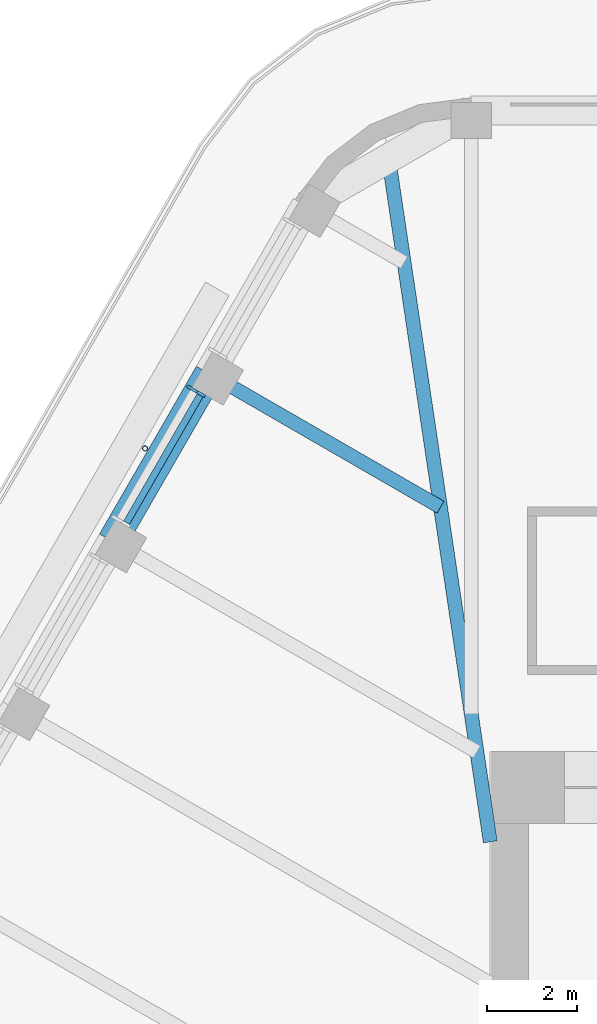
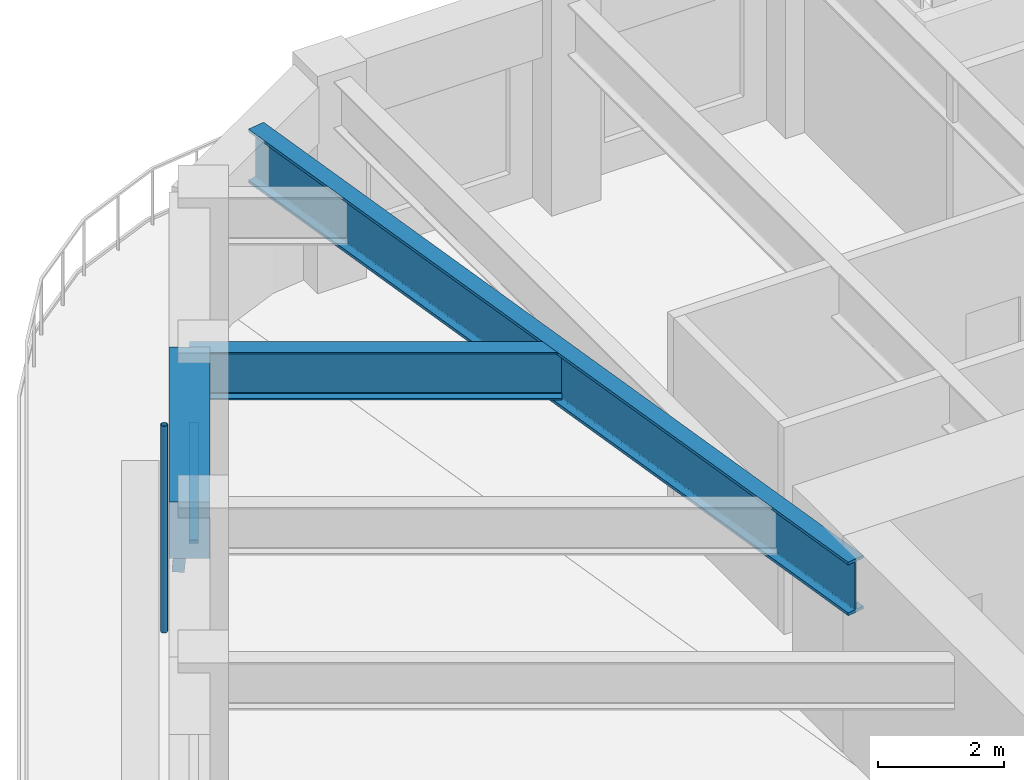
# One storey, part 8 of 19: 3 beams, 3 members, 1 element without a shape of its own.
"""IFC4 building model written with IfcOpenShell, lengths in metres."""

from ifc_helpers import new_model, si_unit, direction, frame, origin, origin_2d, place, context, subcontext, project, spatial, rectangle, hollow_circle, i_section, extrude, material, material_profile, profile_set, type_object, element, aggregate, save


model = new_model("IFC4")

# Units and contexts
model_context = context("Model", 3, precision=1e-05, world=origin(), true_north=direction((0.0, 1.0)))
body_context = subcontext(model_context, "Body", "Model", "MODEL_VIEW")
ifc_project = project(units=[si_unit("LENGTHUNIT", "METRE"), si_unit("AREAUNIT", "SQUARE_METRE"), si_unit("VOLUMEUNIT", "CUBIC_METRE"), si_unit("PLANEANGLEUNIT", "RADIAN"), si_unit("MASSUNIT", "GRAM", prefix="KILO")], contexts=[model_context])

# Site, building, storey
site_placement = place(None, origin())
site = spatial("IfcSite", under=ifc_project, at=site_placement, CompositionType="ELEMENT")
building_placement = place(site_placement, origin())
building = spatial("IfcBuilding", under=site, at=building_placement, Name="Tarfa Lantern Tower", CompositionType="ELEMENT")
storey_placement = place(building_placement, frame((0.0, 0.0, 357.699951171875)))
storey = spatial("IfcBuildingStorey", under=building, at=storey_placement, Name="L81", CompositionType="ELEMENT", Elevation=357.699951171875)

# Curtain wall, members
ifc_material_1 = material(Name="Aluminium framed curtain wall", Category="aluminium")
curtain_wall_type = type_object("IfcCurtainWallType", Name="CW4 CANTED GLAZING EXECUTIVE ZONE 2900", PredefinedType="USERDEFINED", material=ifc_material_1)
curtain_wall_placement = place(storey_placement, origin())
curtain_wall = element("IfcCurtainWall", 1, at=curtain_wall_placement, inside=storey, type_object=curtain_wall_type, Name="CW4 NW L81", ObjectType="CURTAIN WALL", PredefinedType="USERDEFINED")
ifc_material_2 = material(Name="Aluminium mullion", Category="aluminium")
ifc_material_profile_1 = material_profile(ifc_material_2, rectangle(XDim=0.06494140625, YDim=0.199951171875, at=origin_2d()), Name="AL MULLION 65x200")
ifc_profile_set_1 = profile_set([ifc_material_profile_1], Name="Aluminium mullion")
member_type_1 = type_object("IfcMemberType", Name="CWM1 MULLION 65x200", PredefinedType="MULLION", material=ifc_profile_set_1)
member_1_placement = place(storey_placement, frame((-19.038818359375, 20.32373046875, 0.0), z_axis=(0.074393603155, -0.042941967097, 0.996303959277), x_axis=(0.499919672301, 0.866071776036, 0.0)))
member_1 = element("IfcMember", 2, at=member_1_placement, type_object=member_type_1, Name="CW4 mullion 1", PredefinedType="MULLION", context=body_context, shape_type="SweptSolid", body=[
    extrude(rectangle(XDim=0.06494140625, YDim=0.199951171875, at=origin_2d()), origin(), (0.0, 0.0, 1.0), 2.910888671875),
])
ifc_material_3 = material(Name="Aluminium transom", Category="aluminium")
ifc_material_profile_2 = material_profile(ifc_material_3, rectangle(XDim=0.14990234375, YDim=0.06494140625, at=origin_2d()), Name="AL TRANSOM 150x65")
ifc_profile_set_2 = profile_set([ifc_material_profile_2], Name="Aluminium transom")
member_type_2 = type_object("IfcMemberType", Name="CWT1 TRANSOM 150x65", PredefinedType="USERDEFINED", material=ifc_profile_set_2)
member_2_placement = place(storey_placement, frame((-18.841064453125, 20.172119140625, 2.867431640625), z_axis=(-0.499982393232, -0.866035568818, 0.0), x_axis=(0.866035568818, -0.499982393232, 0.0)))
member_2 = element("IfcMember", 3, at=member_2_placement, type_object=member_type_2, Name="CW4 transom 1.2", ObjectType="TRANSOM", PredefinedType="USERDEFINED", context=body_context, shape_type="SweptSolid", body=[
    extrude(rectangle(XDim=0.14990234375, YDim=0.06494140625, at=origin_2d()), origin(), (0.0, 0.0, 1.0), 3.251953125),
])
aggregate(curtain_wall, [member_1, member_2])

# Beam
ifc_material_4 = material(Name="Concrete C80/95", Category="concrete")
ifc_material_profile_3 = material_profile(ifc_material_4, rectangle(XDim=0.64990234375, YDim=1.10009765625, at=origin_2d()), Name="RC 650x1100")
ifc_profile_set_3 = profile_set([ifc_material_profile_3], Name="Concrete C80/95")
beam_type_1 = type_object("IfcBeamType", Name="EB4 RC 650x1100", PredefinedType="SPANDREL", material=ifc_profile_set_3)
beam_1_placement = place(storey_placement, frame((-18.6416015625, 20.651611328125, 3.449951171875), z_axis=(-0.500026801138, -0.866009929587, 0.0), x_axis=(0.866009929587, -0.500026801138, 0.0)))
element("IfcBeam", 4, at=beam_1_placement, inside=storey, type_object=beam_type_1, Name="Edge beam NW1", PredefinedType="SPANDREL", context=body_context, shape_type="SweptSolid", body=[
    extrude(rectangle(XDim=0.64990234375, YDim=1.10009765625, at=origin_2d()), origin(), (0.0, 0.0, 1.0), 4.281982421875),
])

# Member
ifc_material_5 = material(Name="Steel S355", Category="steel")
ifc_material_profile_4 = material_profile(ifc_material_5, hollow_circle(Radius=0.05712890625, WallThickness=0.00634765625, at=origin_2d()), Name="CHS114.3x6.3")
ifc_profile_set_4 = profile_set([ifc_material_profile_4], Name="Steel S355")
member_type_3 = type_object("IfcMemberType", Name="TR1 GREEN WALL TRELLIS CHS114.3x6.3", PredefinedType="USERDEFINED", material=ifc_profile_set_4)
member_3_placement = place(storey_placement, frame((-20.05859375, 18.99755859375, 0.0), z_axis=(0.0, 0.0, 1.0), x_axis=(1.0, 0.0, 0.0)))
element("IfcMember", 5, at=member_3_placement, inside=storey, type_object=member_type_3, Name="Trellis post NW 1", ObjectType="TRELLIS", PredefinedType="USERDEFINED", context=body_context, shape_type="SweptSolid", body=[
    extrude(hollow_circle(Radius=0.05712890625, WallThickness=0.00634765625, at=origin_2d()), origin(), (0.0, 0.0, 1.0), 4.0),
])

# Beams
ifc_material_6 = material(Name="Steel S460M", Category="steel")
ifc_material_profile_5 = material_profile(ifc_material_6, i_section(OverallWidth=0.30859375, OverallDepth=1.036376953125, WebThickness=0.030029296875, FlangeThickness=0.05419921875, FilletRadius=0.030029296875, at=origin_2d()), Name="UB1016x305x487")
ifc_profile_set_5 = profile_set([ifc_material_profile_5], Name="Steel S460M")
beam_type_2 = type_object("IfcBeamType", Name="UB1016x305x487", PredefinedType="BEAM", material=ifc_profile_set_5)
beam_2_placement = place(storey_placement, frame((-12.425048828125, 10.300048828125, 3.48193359375), z_axis=(-0.147127069073, 0.989117599452, 0.0), x_axis=(-0.989117599452, -0.147127069073, 0.0)))
element("IfcBeam", 6, at=beam_2_placement, inside=storey, type_object=beam_type_2, Name="Hip girder NW", PredefinedType="BEAM", context=body_context, shape_type="SweptSolid", body=[
    extrude(i_section(OverallWidth=0.30859375, OverallDepth=1.036376953125, WebThickness=0.030029296875, FlangeThickness=0.05419921875, FilletRadius=0.030029296875, at=origin_2d()), origin(), (0.0, 0.0, 1.0), 15.28125),
])
ifc_material_profile_6 = material_profile(ifc_material_6, i_section(OverallWidth=0.305419921875, OverallDepth=0.91845703125, WebThickness=0.017333984375, FlangeThickness=0.02783203125, FilletRadius=0.01904296875, at=origin_2d()), Name="UB914x305x253")
ifc_profile_set_6 = profile_set([ifc_material_profile_6], Name="Steel S460M")
beam_type_3 = type_object("IfcBeamType", Name="UB914x305x253", PredefinedType="BEAM", material=ifc_profile_set_6)
beam_3_placement = place(storey_placement, frame((-18.6416015625, 20.651611328125, 3.540771484375), z_axis=(0.866024549157, -0.500001480256, 0.0), x_axis=(0.500001480256, 0.866024549157, 0.0)))
element("IfcBeam", 7, at=beam_3_placement, inside=storey, type_object=beam_type_3, Name="Floor beam NW1", PredefinedType="BEAM", context=body_context, shape_type="SweptSolid", body=[
    extrude(i_section(OverallWidth=0.305419921875, OverallDepth=0.91845703125, WebThickness=0.017333984375, FlangeThickness=0.02783203125, FilletRadius=0.01904296875, at=origin_2d()), origin(), (0.0, 0.0, 1.0), 5.90771484375),
])

save(model, "model.ifc")
